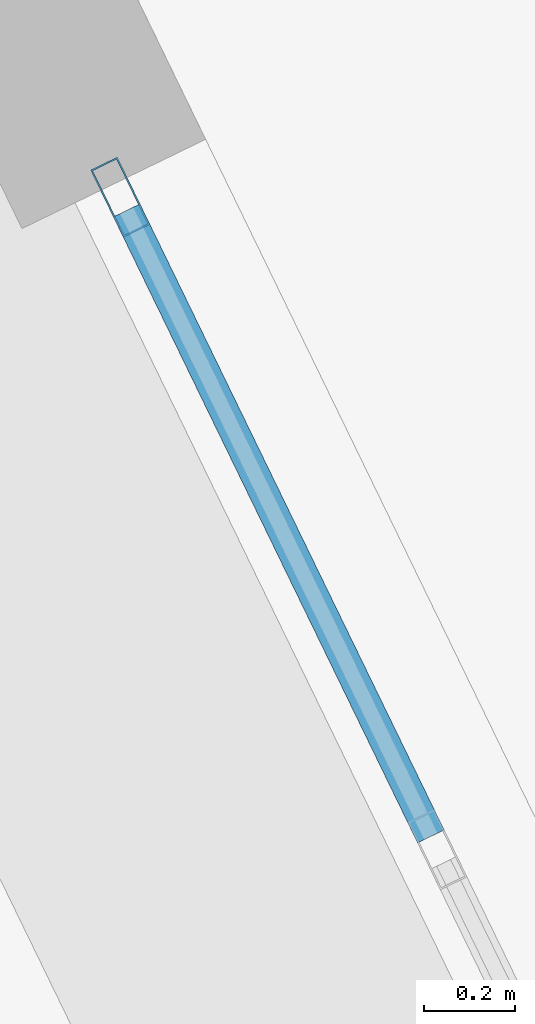
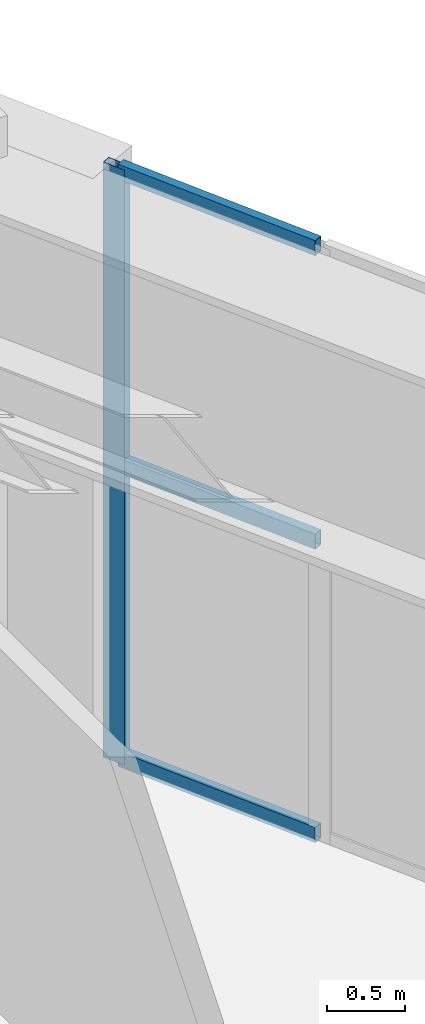
# One storey, part 11 of 24: 4 members, 1 element without a shape of its own.
"""IFC4 building model written with IfcOpenShell, lengths in metres."""

from ifc_helpers import new_model, si_unit, direction, frame, origin, origin_2d, place, context, subcontext, project, spatial, hollow_rectangle, extrude, material, layer, layer_set, material_profile, profile_set, type_object, element, aggregate, save


model = new_model("IFC4")

# Units and contexts
model_context = context("Model", 3, precision=1e-05, world=origin(), true_north=direction((0.0, 1.0)))
body_context = subcontext(model_context, "Body", "Model", "MODEL_VIEW")
ifc_project = project(units=[si_unit("LENGTHUNIT", "METRE"), si_unit("AREAUNIT", "SQUARE_METRE"), si_unit("VOLUMEUNIT", "CUBIC_METRE"), si_unit("PLANEANGLEUNIT", "RADIAN"), si_unit("MASSUNIT", "GRAM", prefix="KILO")], contexts=[model_context])

# Site, building, storey
site_placement = place(None, origin())
site = spatial("IfcSite", under=ifc_project, at=site_placement, CompositionType="ELEMENT")
building_placement = place(site_placement, origin())
building = spatial("IfcBuilding", under=site, at=building_placement, Name="Kilnhurst Terrace Hotel", CompositionType="ELEMENT")
storey_placement = place(building_placement, frame((0.0, 0.0, 305.39990234375)))
storey = spatial("IfcBuildingStorey", under=building, at=storey_placement, Name="L76", CompositionType="ELEMENT", Elevation=305.39990234375)

# Curtain wall, members
ifc_material_1 = material(Name="Anodized Aluminium Alloy 6063-T6 and Low-E Glass", Category="aluminium")
ifc_layer = layer(ifc_material_1, 0.219970703125, Name="Anodized Aluminium Alloy 6063-T6 and Low-E Glass")
ifc_layer_set = layer_set([ifc_layer], Name="Anodized Aluminium Alloy 6063-T6 and Low-E Glass")
curtain_wall_type = type_object("IfcCurtainWallType", Name="CW-OBS-CROWN", PredefinedType="NOTDEFINED", material=ifc_layer_set)
curtain_wall_placement = place(storey_placement, origin())
curtain_wall = element("IfcCurtainWall", 1, at=curtain_wall_placement, inside=storey, type_object=curtain_wall_type, Name="L76 Curtain Wall CW-L76-F3-1", PredefinedType="NOTDEFINED")
ifc_material_2 = material(Name="Extruded Aluminium Alloy 6063-T6", Category="aluminium")
ifc_material_profile_1 = material_profile(ifc_material_2, hollow_rectangle(XDim=0.06494140625, YDim=0.1650390625, WallThickness=0.00341796875, at=origin_2d()), Name="CWM65X165")
ifc_profile_set_1 = profile_set([ifc_material_profile_1], Name="Extruded Aluminium Alloy 6063-T6")
member_type_1 = type_object("IfcMemberType", Name="MEM-CWM65X165", PredefinedType="MULLION", material=ifc_profile_set_1)
member_1_placement = place(storey_placement, frame((13.3583984375, 11.640869140625, 0.0), z_axis=(0.0, 0.0, 1.0), x_axis=(-0.899435709395, -0.437053091357, 0.0)))
member_1 = element("IfcMember", 2, at=member_1_placement, type_object=member_type_1, Name="CWO-6 mullion 5", PredefinedType="MULLION", context=body_context, shape_type="SweptSolid", body=[
    extrude(hollow_rectangle(XDim=0.06494140625, YDim=0.1650390625, WallThickness=0.00341796875, at=origin_2d()), origin(), (0.0, 0.0, 1.0), 4.68017578125),
])
ifc_material_profile_2 = material_profile(ifc_material_2, hollow_rectangle(XDim=0.06494140625, YDim=0.1201171875, WallThickness=0.00341796875, at=origin_2d()), Name="CWT65X120")
ifc_profile_set_2 = profile_set([ifc_material_profile_2], Name="Extruded Aluminium Alloy 6063-T6")
member_type_2 = type_object("IfcMemberType", Name="MEM-CWT65X120", PredefinedType="USERDEFINED", material=ifc_profile_set_2)
member_2_placement = place(storey_placement, frame((14.04296875, 10.23193359375, 0.03271484375), z_axis=(-0.436999612703, 0.899461693735, 0.0), x_axis=(-0.899461693735, -0.436999612703, 0.0)))
member_2 = element("IfcMember", 3, at=member_2_placement, type_object=member_type_2, Name="CWO-6 transom 4.1", ObjectType="TRANSOM", PredefinedType="USERDEFINED", context=body_context, shape_type="SweptSolid", body=[
    extrude(hollow_rectangle(XDim=0.06494140625, YDim=0.1201171875, WallThickness=0.00341796875, at=origin_2d()), origin(), (0.0, 0.0, 1.0), 1.5341796875),
])
member_3_placement = place(storey_placement, frame((14.04296875, 10.23193359375, 2.340087890625), z_axis=(-0.436999612703, 0.899461693735, 0.0), x_axis=(-0.899461693735, -0.436999612703, 0.0)))
member_3 = element("IfcMember", 4, at=member_3_placement, type_object=member_type_2, Name="CWO-6 transom 4.2", ObjectType="TRANSOM", PredefinedType="USERDEFINED", context=body_context, shape_type="SweptSolid", body=[
    extrude(hollow_rectangle(XDim=0.06494140625, YDim=0.1201171875, WallThickness=0.00341796875, at=origin_2d()), origin(), (0.0, 0.0, 1.0), 1.5341796875),
])
member_4_placement = place(storey_placement, frame((14.04296875, 10.23193359375, 4.647705078125), z_axis=(-0.436999612703, 0.899461693735, 0.0), x_axis=(-0.899461693735, -0.436999612703, 0.0)))
member_4 = element("IfcMember", 5, at=member_4_placement, type_object=member_type_2, Name="CWO-6 transom 4.3", ObjectType="TRANSOM", PredefinedType="USERDEFINED", context=body_context, shape_type="SweptSolid", body=[
    extrude(hollow_rectangle(XDim=0.06494140625, YDim=0.1201171875, WallThickness=0.00341796875, at=origin_2d()), origin(), (0.0, 0.0, 1.0), 1.5341796875),
])
aggregate(curtain_wall, [member_1, member_2, member_3, member_4])

save(model, "model.ifc")
